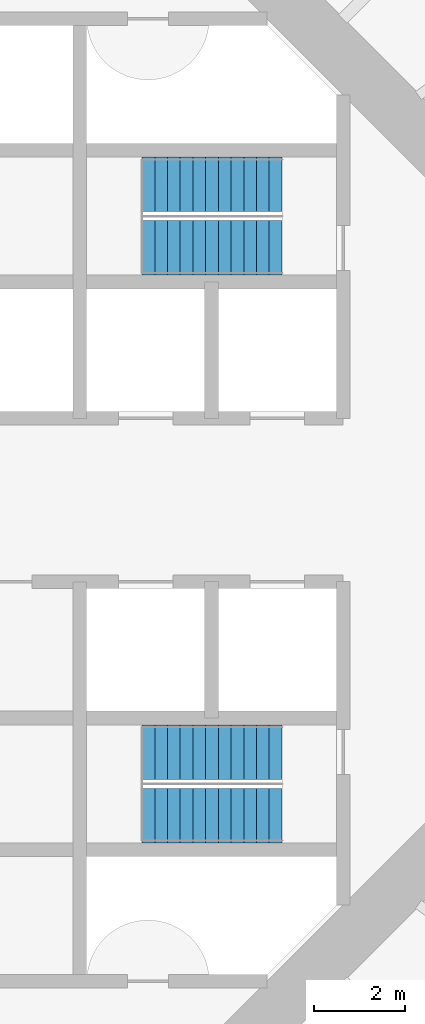
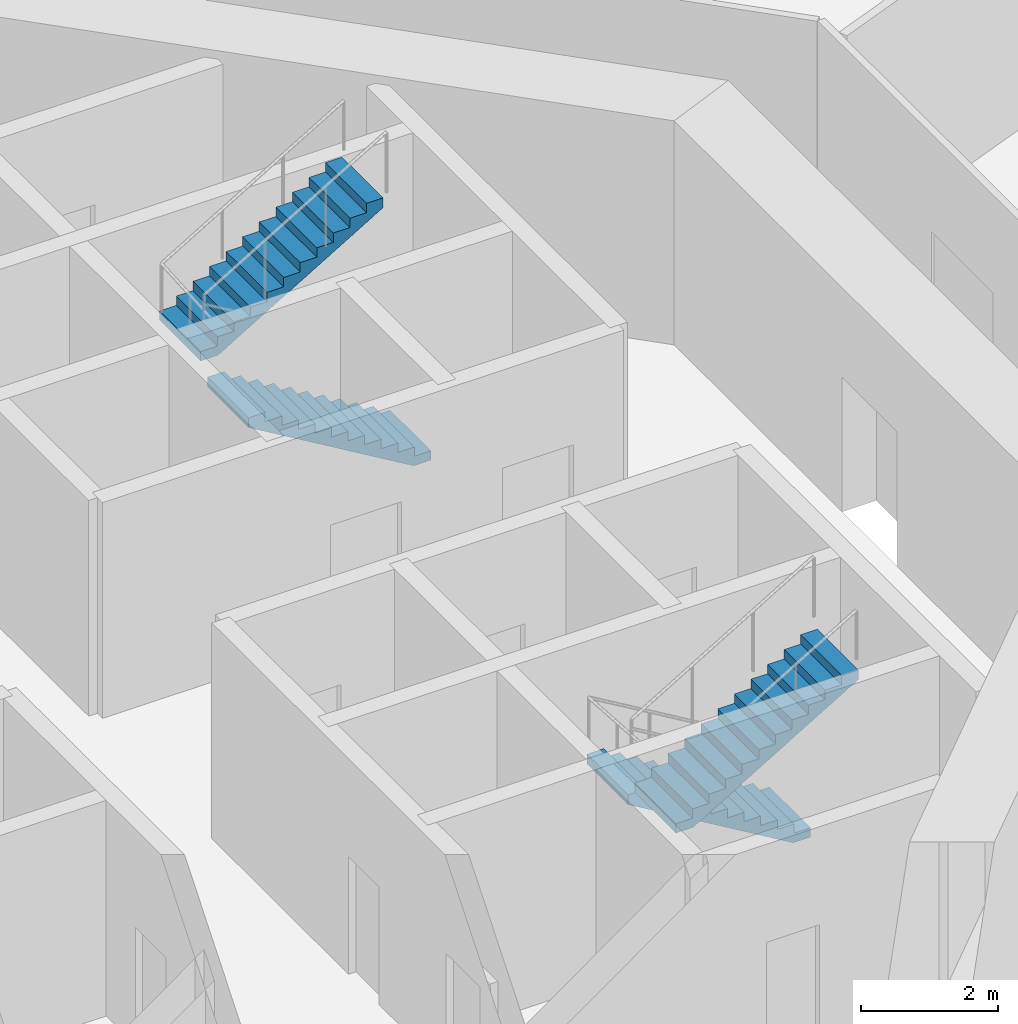
# One storey, part 6 of 13: 4 stair flights, 2 elements without a shape of their own.
"""IFC4 building model written with IfcOpenShell, lengths in metres."""

from ifc_helpers import new_model, si_unit, direction, frame, origin, place, context, subcontext, project, spatial, polyline, outline, extrude, material, type_object, element, aggregate, save


model = new_model("IFC4")

# Units and contexts
model_context = context("Model", 3, precision=1e-05, world=origin(), true_north=direction((0.0, 1.0)))
body_context = subcontext(model_context, "Body", "Model", "MODEL_VIEW")
ifc_project = project(units=[si_unit("LENGTHUNIT", "METRE"), si_unit("AREAUNIT", "SQUARE_METRE"), si_unit("VOLUMEUNIT", "CUBIC_METRE"), si_unit("PLANEANGLEUNIT", "RADIAN"), si_unit("MASSUNIT", "GRAM", prefix="KILO")], contexts=[model_context])

# Site, building, storey
site_placement = place(None, origin())
site = spatial("IfcSite", under=ifc_project, at=site_placement, CompositionType="ELEMENT")
building_placement = place(site_placement, origin())
building = spatial("IfcBuilding", under=site, at=building_placement, Name="Entoto Ring Tower", CompositionType="ELEMENT")
storey_placement = place(building_placement, frame((0.0, 0.0, 104.0)))
storey = spatial("IfcBuildingStorey", under=building, at=storey_placement, Name="L23", CompositionType="ELEMENT", Elevation=104.0)

# Stair, stair flights
ifc_material_1 = material(Name="Concrete C40/50", Category="concrete")
stair_type = type_object("IfcStairType", Name="Exit stair 1200 mm dog-leg reinforced concrete", PredefinedType="HALF_TURN_STAIR", material=ifc_material_1)
stair_1_placement = place(storey_placement, origin())
stair_1 = element("IfcStair", 1, at=stair_1_placement, inside=storey, type_object=stair_type, Name="Exit stair 1", PredefinedType="HALF_TURN_STAIR")
ifc_material_2 = material(Name="Concrete C40/50", Category="concrete")
stair_flight_type = type_object("IfcStairFlightType", Name="Stair flight 1200 mm reinforced concrete", PredefinedType="STRAIGHT", material=ifc_material_2)
stair_flight_1_placement = place(storey_placement, frame((99.25, 85.550048828125, 0.0), z_axis=(0.0, 0.0, 1.0), x_axis=(-1.0, 0.0, 0.0)))
stair_flight_1 = element("IfcStairFlight", 2, at=stair_flight_1_placement, type_object=stair_flight_type, Name="ST1 flight 1", NumberOfRisers=12, NumberOfTreads=11, PredefinedType="STRAIGHT", RiserHeight=0.166666667, TreadLength=0.28, context=body_context, shape_type="SweptSolid", body=[
    extrude(outline(polyline([(0.0, 0.0), (0.0, 0.166748046875), (0.280029296875, 0.166748046875), (0.280029296875, 0.333251953125), (0.56005859375, 0.333251953125), (0.56005859375, 0.5), (0.840087890625, 0.5), (0.840087890625, 0.666748046875), (1.1201171875, 0.666748046875), (1.1201171875, 0.833251953125), (1.39990234375, 0.833251953125), (1.39990234375, 1.0), (1.679931640625, 1.0), (1.679931640625, 1.166748046875), (1.9599609375, 1.166748046875), (1.9599609375, 1.333251953125), (2.239990234375, 1.333251953125), (2.239990234375, 1.5), (2.52001953125, 1.5), (2.52001953125, 1.666748046875), (2.800048828125, 1.666748046875), (2.800048828125, 1.833251953125), (3.080078125, 1.833251953125), (3.080078125, 2.0), (3.080078125, 1.658935546875), (0.29296875, 0.0), (0.0, 0.0)])), frame((0.0, 0.60009765625, 0.0), z_axis=(0.0, -1.0, 0.0), x_axis=(1.0, 0.0, 0.0)), (0.0, 0.0, 1.0), 1.199951171875),
])
stair_flight_2_placement = place(storey_placement, frame((96.169921875, 86.949951171875, 2.0), z_axis=(0.0, 0.0, 1.0), x_axis=(1.0, 0.0, 0.0)))
stair_flight_2 = element("IfcStairFlight", 3, at=stair_flight_2_placement, type_object=stair_flight_type, Name="ST1 flight 2", NumberOfRisers=12, NumberOfTreads=11, PredefinedType="STRAIGHT", RiserHeight=0.166666667, TreadLength=0.28, context=body_context, shape_type="SweptSolid", body=[
    extrude(outline(polyline([(0.0, 0.0), (0.0, 0.166748046875), (0.280029296875, 0.166748046875), (0.280029296875, 0.333251953125), (0.56005859375, 0.333251953125), (0.56005859375, 0.5), (0.840087890625, 0.5), (0.840087890625, 0.666748046875), (1.1201171875, 0.666748046875), (1.1201171875, 0.833251953125), (1.39990234375, 0.833251953125), (1.39990234375, 1.0), (1.679931640625, 1.0), (1.679931640625, 1.166748046875), (1.9599609375, 1.166748046875), (1.9599609375, 1.333251953125), (2.239990234375, 1.333251953125), (2.239990234375, 1.5), (2.52001953125, 1.5), (2.52001953125, 1.666748046875), (2.800048828125, 1.666748046875), (2.800048828125, 1.833251953125), (3.080078125, 1.833251953125), (3.080078125, 2.0), (3.080078125, 1.658935546875), (0.29296875, 0.0), (0.0, 0.0)])), frame((0.0, 0.60009765625, 0.0), z_axis=(0.0, -1.0, 0.0), x_axis=(1.0, 0.0, 0.0)), (0.0, 0.0, 1.0), 1.199951171875),
])
aggregate(stair_1, [stair_flight_1, stair_flight_2])

stair_2_placement = place(storey_placement, origin())
stair_2 = element("IfcStair", 4, at=stair_2_placement, inside=storey, type_object=stair_type, Name="Exit stair 3", PredefinedType="HALF_TURN_STAIR")
stair_flight_3_placement = place(storey_placement, frame((99.25, 74.449951171875, 0.0), z_axis=(0.0, 0.0, 1.0), x_axis=(-1.0, 0.0, 0.0)))
stair_flight_3 = element("IfcStairFlight", 5, at=stair_flight_3_placement, type_object=stair_flight_type, Name="ST3 flight 1", NumberOfRisers=12, NumberOfTreads=11, PredefinedType="STRAIGHT", RiserHeight=0.166666667, TreadLength=0.28, context=body_context, shape_type="SweptSolid", body=[
    extrude(outline(polyline([(0.0, 0.0), (0.0, 0.166748046875), (0.280029296875, 0.166748046875), (0.280029296875, 0.333251953125), (0.56005859375, 0.333251953125), (0.56005859375, 0.5), (0.840087890625, 0.5), (0.840087890625, 0.666748046875), (1.1201171875, 0.666748046875), (1.1201171875, 0.833251953125), (1.39990234375, 0.833251953125), (1.39990234375, 1.0), (1.679931640625, 1.0), (1.679931640625, 1.166748046875), (1.9599609375, 1.166748046875), (1.9599609375, 1.333251953125), (2.239990234375, 1.333251953125), (2.239990234375, 1.5), (2.52001953125, 1.5), (2.52001953125, 1.666748046875), (2.800048828125, 1.666748046875), (2.800048828125, 1.833251953125), (3.080078125, 1.833251953125), (3.080078125, 2.0), (3.080078125, 1.658935546875), (0.29296875, 0.0), (0.0, 0.0)])), frame((0.0, 0.60009765625, 0.0), z_axis=(0.0, -1.0, 0.0), x_axis=(1.0, 0.0, 0.0)), (0.0, 0.0, 1.0), 1.199951171875),
])
stair_flight_4_placement = place(storey_placement, frame((96.169921875, 73.050048828125, 2.0), z_axis=(0.0, 0.0, 1.0), x_axis=(1.0, 0.0, 0.0)))
stair_flight_4 = element("IfcStairFlight", 6, at=stair_flight_4_placement, type_object=stair_flight_type, Name="ST3 flight 2", NumberOfRisers=12, NumberOfTreads=11, PredefinedType="STRAIGHT", RiserHeight=0.166666667, TreadLength=0.28, context=body_context, shape_type="SweptSolid", body=[
    extrude(outline(polyline([(0.0, 0.0), (0.0, 0.166748046875), (0.280029296875, 0.166748046875), (0.280029296875, 0.333251953125), (0.56005859375, 0.333251953125), (0.56005859375, 0.5), (0.840087890625, 0.5), (0.840087890625, 0.666748046875), (1.1201171875, 0.666748046875), (1.1201171875, 0.833251953125), (1.39990234375, 0.833251953125), (1.39990234375, 1.0), (1.679931640625, 1.0), (1.679931640625, 1.166748046875), (1.9599609375, 1.166748046875), (1.9599609375, 1.333251953125), (2.239990234375, 1.333251953125), (2.239990234375, 1.5), (2.52001953125, 1.5), (2.52001953125, 1.666748046875), (2.800048828125, 1.666748046875), (2.800048828125, 1.833251953125), (3.080078125, 1.833251953125), (3.080078125, 2.0), (3.080078125, 1.658935546875), (0.29296875, 0.0), (0.0, 0.0)])), frame((0.0, 0.60009765625, 0.0), z_axis=(0.0, -1.0, 0.0), x_axis=(1.0, 0.0, 0.0)), (0.0, 0.0, 1.0), 1.199951171875),
])
aggregate(stair_2, [stair_flight_3, stair_flight_4])

save(model, "model.ifc")
